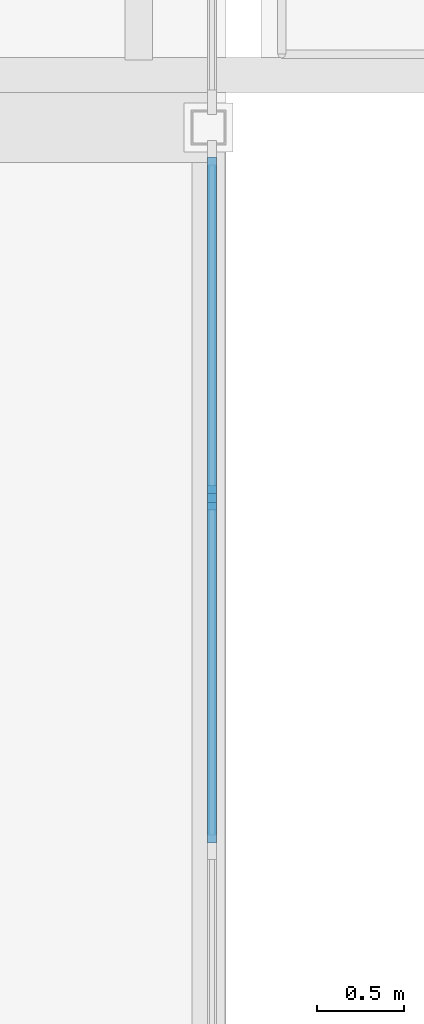
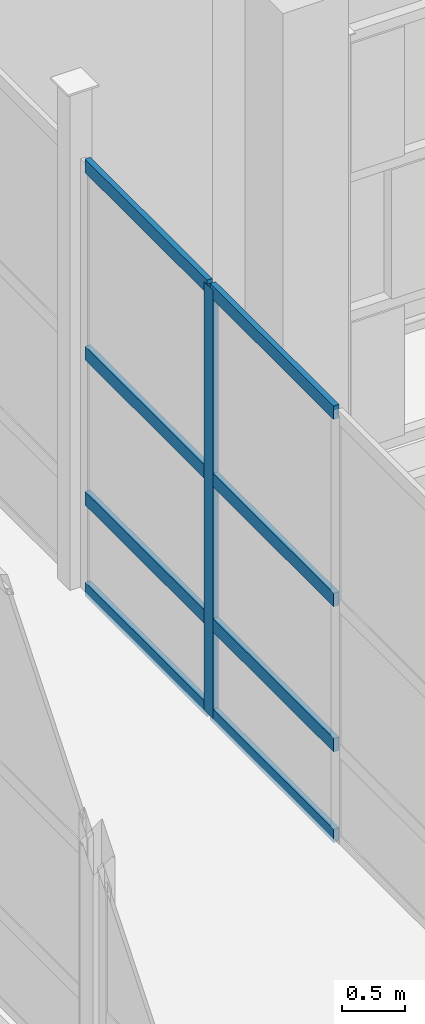
# One storey, part 69 of 138: 9 members, 1 element without a shape of its own.
"""IFC4 building model written with IfcOpenShell, lengths in metres."""

from ifc_helpers import new_model, si_unit, direction, frame, origin, origin_2d, place, context, subcontext, project, spatial, rectangle, extrude, material, layer, layer_set, material_profile, profile_set, type_object, element, aggregate, save


model = new_model("IFC4")

# Units and contexts
model_context = context("Model", 3, precision=1e-05, world=origin(), true_north=direction((0.0, 1.0)))
body_context = subcontext(model_context, "Body", "Model", "MODEL_VIEW")
ifc_project = project(units=[si_unit("LENGTHUNIT", "METRE"), si_unit("AREAUNIT", "SQUARE_METRE"), si_unit("VOLUMEUNIT", "CUBIC_METRE"), si_unit("PLANEANGLEUNIT", "RADIAN"), si_unit("MASSUNIT", "GRAM", prefix="KILO")], contexts=[model_context])

# Site, building, storey
site_placement = place(None, origin())
site = spatial("IfcSite", under=ifc_project, at=site_placement, CompositionType="ELEMENT")
building_placement = place(site_placement, origin())
building = spatial("IfcBuilding", under=site, at=building_placement, Name="Celorna Specialist Clinic", CompositionType="ELEMENT")
storey_placement = place(building_placement, frame((0.0, 0.0, 4.800048828125)))
storey = spatial("IfcBuildingStorey", under=building, at=storey_placement, Name="L01", CompositionType="ELEMENT", Elevation=4.800048828125)

# Curtain wall, members
ifc_material_1 = material(Name="Thermally broken aluminium and solar-control glass curtain wall", Category="aluminium")
ifc_layer = layer(ifc_material_1, 0.159912109375, Name="Thermally broken aluminium and solar-control glass curtain wall")
ifc_layer_set = layer_set([ifc_layer], Name="Thermally broken aluminium and solar-control glass curtain wall")
curtain_wall_type = type_object("IfcCurtainWallType", Name="CW-117", PredefinedType="NOTDEFINED", material=ifc_layer_set)
curtain_wall_placement = place(storey_placement, origin())
curtain_wall = element("IfcCurtainWall", 1, at=curtain_wall_placement, inside=storey, type_object=curtain_wall_type, Name="Curtain wall CW-117 #224", PredefinedType="NOTDEFINED")
ifc_material_2 = material(Name="Anodized aluminium mullion", Category="aluminium")
ifc_material_profile_1 = material_profile(ifc_material_2, rectangle(XDim=0.050048828125, YDim=0.139892578125, at=origin_2d()), Name="ALU MULLION 50x140")
ifc_profile_set_1 = profile_set([ifc_material_profile_1], Name="Anodized aluminium mullion")
member_type_1 = type_object("IfcMemberType", Name="ML-03", PredefinedType="MULLION", material=ifc_profile_set_1)
member_1_placement = place(storey_placement, frame((146.02001953125, 94.07666015625, 0.0), z_axis=(0.0, 0.0, 1.0), x_axis=(1.0, 0.0, 0.0)))
member_1 = element("IfcMember", 2, at=member_1_placement, type_object=member_type_1, Name="CW-117 mullion 2", PredefinedType="MULLION", context=body_context, shape_type="SweptSolid", body=[
    extrude(rectangle(XDim=0.050048828125, YDim=0.139892578125, at=origin_2d()), origin(), (0.0, 0.0, 1.0), 4.1298828125),
])
ifc_material_3 = material(Name="Anodized aluminium transom", Category="aluminium")
ifc_material_profile_2 = material_profile(ifc_material_3, rectangle(XDim=0.050048828125, YDim=0.1298828125, at=origin_2d()), Name="ALU TRANSOM 50x130")
ifc_profile_set_2 = profile_set([ifc_material_profile_2], Name="Anodized aluminium transom")
member_type_2 = type_object("IfcMemberType", Name="TR-01", PredefinedType="USERDEFINED", material=ifc_profile_set_2)
member_2_placement = place(storey_placement, frame((146.02001953125, 96.030029296875, 0.02490234375), z_axis=(0.0, -1.0, 0.0), x_axis=(1.0, 0.0, 0.0)))
member_2 = element("IfcMember", 3, at=member_2_placement, type_object=member_type_2, Name="CW-117 transom 1.1", ObjectType="TRANSOM", PredefinedType="USERDEFINED", context=body_context, shape_type="SweptSolid", body=[
    extrude(rectangle(XDim=0.050048828125, YDim=0.1298828125, at=origin_2d()), origin(), (0.0, 0.0, 1.0), 1.928466796875),
])
member_3_placement = place(storey_placement, frame((146.02001953125, 96.030029296875, 0.89990234375), z_axis=(0.0, -1.0, 0.0), x_axis=(1.0, 0.0, 0.0)))
member_3 = element("IfcMember", 4, at=member_3_placement, type_object=member_type_2, Name="CW-117 transom 1.2", ObjectType="TRANSOM", PredefinedType="USERDEFINED", context=body_context, shape_type="SweptSolid", body=[
    extrude(rectangle(XDim=0.050048828125, YDim=0.1298828125, at=origin_2d()), origin(), (0.0, 0.0, 1.0), 1.928466796875),
])
member_4_placement = place(storey_placement, frame((146.02001953125, 96.030029296875, 2.300048828125), z_axis=(0.0, -1.0, 0.0), x_axis=(1.0, 0.0, 0.0)))
member_4 = element("IfcMember", 5, at=member_4_placement, type_object=member_type_2, Name="CW-117 transom 1.3", ObjectType="TRANSOM", PredefinedType="USERDEFINED", context=body_context, shape_type="SweptSolid", body=[
    extrude(rectangle(XDim=0.050048828125, YDim=0.1298828125, at=origin_2d()), origin(), (0.0, 0.0, 1.0), 1.928466796875),
])
member_5_placement = place(storey_placement, frame((146.02001953125, 96.030029296875, 4.10498046875), z_axis=(0.0, -1.0, 0.0), x_axis=(1.0, 0.0, 0.0)))
member_5 = element("IfcMember", 6, at=member_5_placement, type_object=member_type_2, Name="CW-117 transom 1.4", ObjectType="TRANSOM", PredefinedType="USERDEFINED", context=body_context, shape_type="SweptSolid", body=[
    extrude(rectangle(XDim=0.050048828125, YDim=0.1298828125, at=origin_2d()), origin(), (0.0, 0.0, 1.0), 1.928466796875),
])
member_6_placement = place(storey_placement, frame((146.02001953125, 94.0517578125, 0.02490234375), z_axis=(0.0, -1.0, 0.0), x_axis=(1.0, 0.0, 0.0)))
member_6 = element("IfcMember", 7, at=member_6_placement, type_object=member_type_2, Name="CW-117 transom 2.1", ObjectType="TRANSOM", PredefinedType="USERDEFINED", context=body_context, shape_type="SweptSolid", body=[
    extrude(rectangle(XDim=0.050048828125, YDim=0.1298828125, at=origin_2d()), origin(), (0.0, 0.0, 1.0), 1.953369140625),
])
member_7_placement = place(storey_placement, frame((146.02001953125, 94.0517578125, 0.89990234375), z_axis=(0.0, -1.0, 0.0), x_axis=(1.0, 0.0, 0.0)))
member_7 = element("IfcMember", 8, at=member_7_placement, type_object=member_type_2, Name="CW-117 transom 2.2", ObjectType="TRANSOM", PredefinedType="USERDEFINED", context=body_context, shape_type="SweptSolid", body=[
    extrude(rectangle(XDim=0.050048828125, YDim=0.1298828125, at=origin_2d()), origin(), (0.0, 0.0, 1.0), 1.953369140625),
])
member_8_placement = place(storey_placement, frame((146.02001953125, 94.0517578125, 2.300048828125), z_axis=(0.0, -1.0, 0.0), x_axis=(1.0, 0.0, 0.0)))
member_8 = element("IfcMember", 9, at=member_8_placement, type_object=member_type_2, Name="CW-117 transom 2.3", ObjectType="TRANSOM", PredefinedType="USERDEFINED", context=body_context, shape_type="SweptSolid", body=[
    extrude(rectangle(XDim=0.050048828125, YDim=0.1298828125, at=origin_2d()), origin(), (0.0, 0.0, 1.0), 1.953369140625),
])
member_9_placement = place(storey_placement, frame((146.02001953125, 94.0517578125, 4.10498046875), z_axis=(0.0, -1.0, 0.0), x_axis=(1.0, 0.0, 0.0)))
member_9 = element("IfcMember", 10, at=member_9_placement, type_object=member_type_2, Name="CW-117 transom 2.4", ObjectType="TRANSOM", PredefinedType="USERDEFINED", context=body_context, shape_type="SweptSolid", body=[
    extrude(rectangle(XDim=0.050048828125, YDim=0.1298828125, at=origin_2d()), origin(), (0.0, 0.0, 1.0), 1.953369140625),
])
aggregate(curtain_wall, [member_1, member_2, member_3, member_4, member_5, member_6, member_7, member_8, member_9])

save(model, "model.ifc")
